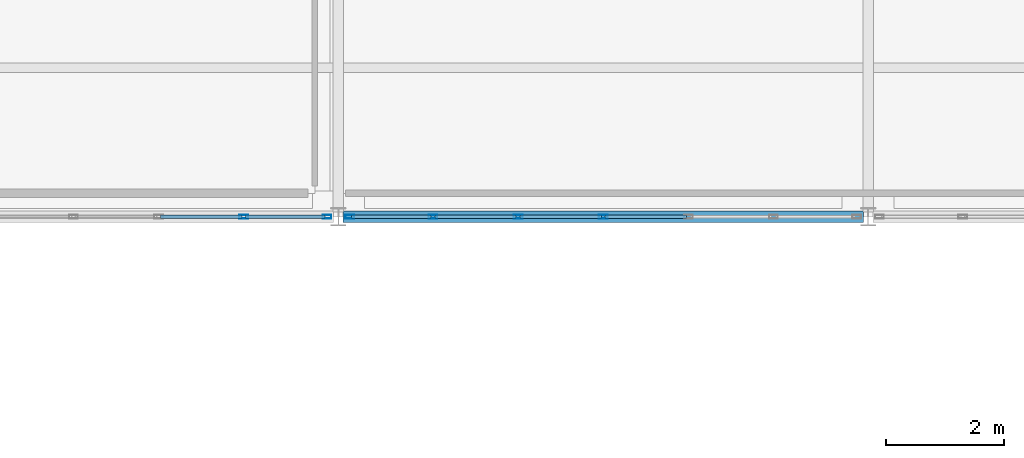
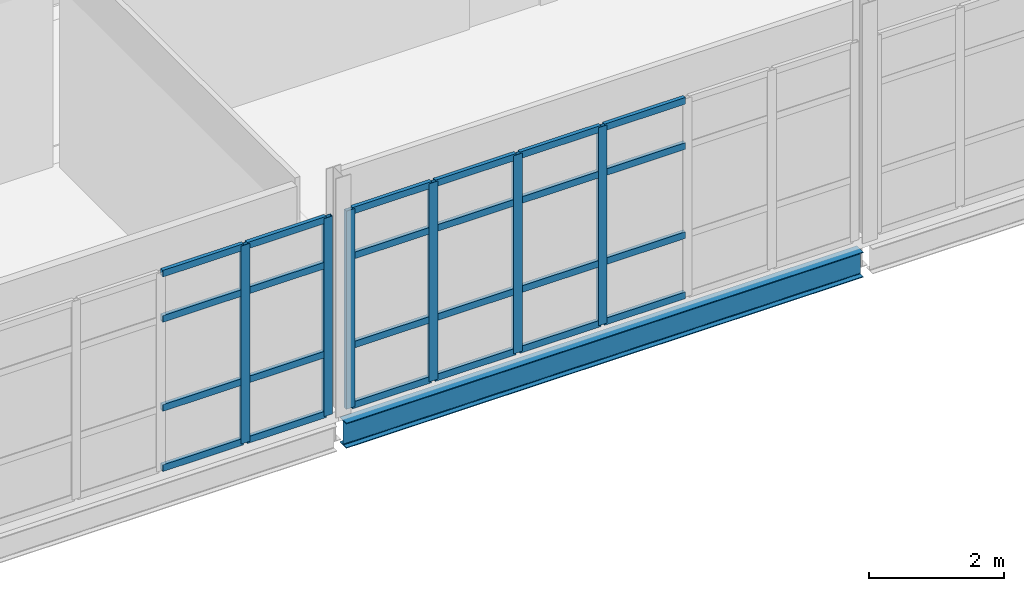
# One storey, part 67 of 174: 30 members, 1 beam, 2 elements without a shape of their own.
"""IFC4 building model written with IfcOpenShell, lengths in metres."""

from ifc_helpers import new_model, si_unit, direction, frame, origin, origin_2d, place, context, subcontext, project, spatial, hollow_rectangle, i_section, extrude, material, material_profile, profile_set, type_object, element, aggregate, save


model = new_model("IFC4")

# Units and contexts
model_context = context("Model", 3, precision=1e-05, world=origin(), true_north=direction((0.0, 1.0)))
body_context = subcontext(model_context, "Body", "Model", "MODEL_VIEW")
ifc_project = project(units=[si_unit("LENGTHUNIT", "METRE"), si_unit("AREAUNIT", "SQUARE_METRE"), si_unit("VOLUMEUNIT", "CUBIC_METRE"), si_unit("PLANEANGLEUNIT", "RADIAN"), si_unit("MASSUNIT", "GRAM", prefix="KILO")], contexts=[model_context])

# Site, building, storey
site_placement = place(None, origin())
site = spatial("IfcSite", under=ifc_project, at=site_placement, CompositionType="ELEMENT")
building_placement = place(site_placement, origin())
building = spatial("IfcBuilding", under=site, at=building_placement, Name="Caisbarro Railhouse Central Library", CompositionType="ELEMENT")
storey_placement = place(building_placement, frame((0.0, 0.0, 5.0400390625)))
storey = spatial("IfcBuildingStorey", under=building, at=storey_placement, Name="L01", CompositionType="ELEMENT", Elevation=5.0400390625)

# Beam
ifc_material_1 = material(Name="Steel ASTM A572 Grade 50", Category="steel")
ifc_material_profile_1 = material_profile(ifc_material_1, i_section(OverallWidth=0.18994140625, OverallDepth=0.45703125, WebThickness=0.009033203125, FlangeThickness=0.014404296875, FilletRadius=0.01806640625, at=origin_2d()), Name="W460X74.0")
ifc_profile_set_1 = profile_set([ifc_material_profile_1], Name="Steel ASTM A572 Grade 50")
beam_type = type_object("IfcBeamType", Name="BM-SP01", PredefinedType="SPANDREL", material=ifc_profile_set_1)
beam_placement = place(storey_placement, frame((18.080078125, 83.60009765625, -0.428466796875), z_axis=(1.0, 0.0, 0.0), x_axis=(0.0, 1.0, 0.0)))
element("IfcBeam", 1, at=beam_placement, inside=storey, type_object=beam_type, Name="SP01 beam L01 #1010", PredefinedType="SPANDREL", context=body_context, shape_type="SweptSolid", body=[
    extrude(i_section(OverallWidth=0.18994140625, OverallDepth=0.45703125, WebThickness=0.009033203125, FlangeThickness=0.014404296875, FilletRadius=0.01806640625, at=origin_2d()), origin(), (0.0, 0.0, 1.0), 8.83984375),
])

# Curtain wall, members
ifc_material_2 = material(Name="Anodised architectural aluminium", Category="aluminium")
curtain_wall_type = type_object("IfcCurtainWallType", Name="CW-CW02", PredefinedType="NOTDEFINED", material=ifc_material_2)
curtain_wall_1_placement = place(storey_placement, origin())
curtain_wall_1 = element("IfcCurtainWall", 2, at=curtain_wall_1_placement, inside=storey, type_object=curtain_wall_type, Name="CW02 curtain wall L01 #80", PredefinedType="NOTDEFINED")
ifc_material_profile_2 = material_profile(ifc_material_2, hollow_rectangle(XDim=0.06494140625, YDim=0.14990234375, WallThickness=0.00390625, at=origin_2d()), Name="ALU-MUL-65X150")
ifc_profile_set_2 = profile_set([ifc_material_profile_2], Name="Anodised architectural aluminium")
member_type_1 = type_object("IfcMemberType", Name="CWM-M02", PredefinedType="MULLION", material=ifc_profile_set_2)
member_1_placement = place(storey_placement, frame((16.393310546875, 83.60009765625, 0.0), z_axis=(0.0, 0.0, 1.0), x_axis=(0.0, 1.0, 0.0)))
member_1 = element("IfcMember", 3, at=member_1_placement, type_object=member_type_1, Name="CW02 mullion 6", PredefinedType="MULLION", context=body_context, shape_type="SweptSolid", body=[
    extrude(hollow_rectangle(XDim=0.06494140625, YDim=0.14990234375, WallThickness=0.00390625, at=origin_2d()), origin(), (0.0, 0.0, 1.0), 3.580078125),
])
member_2_placement = place(storey_placement, frame((17.8076171875, 83.60009765625, 0.0), z_axis=(0.0, 0.0, 1.0), x_axis=(0.0, 1.0, 0.0)))
member_2 = element("IfcMember", 4, at=member_2_placement, type_object=member_type_1, Name="CW02 mullion 7", PredefinedType="MULLION", context=body_context, shape_type="SweptSolid", body=[
    extrude(hollow_rectangle(XDim=0.06494140625, YDim=0.14990234375, WallThickness=0.00390625, at=origin_2d()), origin(), (0.0, 0.0, 1.0), 3.580078125),
])

curtain_wall_2_placement = place(storey_placement, origin())
curtain_wall_2 = element("IfcCurtainWall", 5, at=curtain_wall_2_placement, inside=storey, type_object=curtain_wall_type, Name="CW02 curtain wall L01 #81", PredefinedType="NOTDEFINED")
member_3_placement = place(storey_placement, frame((18.1923828125, 83.60009765625, 0.0), z_axis=(0.0, 0.0, 1.0), x_axis=(0.0, 1.0, 0.0)))
member_3 = element("IfcMember", 6, at=member_3_placement, type_object=member_type_1, Name="CW02 mullion 1", PredefinedType="MULLION", context=body_context, shape_type="SweptSolid", body=[
    extrude(hollow_rectangle(XDim=0.06494140625, YDim=0.14990234375, WallThickness=0.00390625, at=origin_2d()), origin(), (0.0, 0.0, 1.0), 3.580078125),
])
member_4_placement = place(storey_placement, frame((19.606689453125, 83.60009765625, 0.0), z_axis=(0.0, 0.0, 1.0), x_axis=(0.0, 1.0, 0.0)))
member_4 = element("IfcMember", 7, at=member_4_placement, type_object=member_type_1, Name="CW02 mullion 2", PredefinedType="MULLION", context=body_context, shape_type="SweptSolid", body=[
    extrude(hollow_rectangle(XDim=0.06494140625, YDim=0.14990234375, WallThickness=0.00390625, at=origin_2d()), origin(), (0.0, 0.0, 1.0), 3.580078125),
])
member_5_placement = place(storey_placement, frame((21.05322265625, 83.60009765625, 0.0), z_axis=(0.0, 0.0, 1.0), x_axis=(0.0, 1.0, 0.0)))
member_5 = element("IfcMember", 8, at=member_5_placement, type_object=member_type_1, Name="CW02 mullion 3", PredefinedType="MULLION", context=body_context, shape_type="SweptSolid", body=[
    extrude(hollow_rectangle(XDim=0.06494140625, YDim=0.14990234375, WallThickness=0.00390625, at=origin_2d()), origin(), (0.0, 0.0, 1.0), 3.580078125),
])
member_6_placement = place(storey_placement, frame((22.5, 83.60009765625, 0.0), z_axis=(0.0, 0.0, 1.0), x_axis=(0.0, 1.0, 0.0)))
member_6 = element("IfcMember", 9, at=member_6_placement, type_object=member_type_1, Name="CW02 mullion 4", PredefinedType="MULLION", context=body_context, shape_type="SweptSolid", body=[
    extrude(hollow_rectangle(XDim=0.06494140625, YDim=0.14990234375, WallThickness=0.00390625, at=origin_2d()), origin(), (0.0, 0.0, 1.0), 3.580078125),
])

# Member
ifc_material_profile_3 = material_profile(ifc_material_2, hollow_rectangle(XDim=0.06494140625, YDim=0.1201171875, WallThickness=0.00341796875, at=origin_2d()), Name="ALU-TRN-65X120")
ifc_profile_set_3 = profile_set([ifc_material_profile_3], Name="Anodised architectural aluminium")
member_type_2 = type_object("IfcMemberType", Name="CWT-T02", PredefinedType="USERDEFINED", material=ifc_profile_set_3)
member_7_placement = place(storey_placement, frame((14.979248046875, 83.60009765625, 0.032470703125), z_axis=(1.0, 0.0, 0.0), x_axis=(0.0, 1.0, 0.0)))
member_7 = element("IfcMember", 10, at=member_7_placement, type_object=member_type_2, Name="CW02 transom 5.1", ObjectType="TRANSOM", PredefinedType="USERDEFINED", context=body_context, shape_type="SweptSolid", body=[
    extrude(hollow_rectangle(XDim=0.06494140625, YDim=0.1201171875, WallThickness=0.00341796875, at=origin_2d()), origin(), (0.0, 0.0, 1.0), 1.381591796875),
])

member_8_placement = place(storey_placement, frame((14.979248046875, 83.60009765625, 1.119873046875), z_axis=(1.0, 0.0, 0.0), x_axis=(0.0, 1.0, 0.0)))
member_8 = element("IfcMember", 11, at=member_8_placement, type_object=member_type_2, Name="CW02 transom 5.2", ObjectType="TRANSOM", PredefinedType="USERDEFINED", context=body_context, shape_type="SweptSolid", body=[
    extrude(hollow_rectangle(XDim=0.06494140625, YDim=0.1201171875, WallThickness=0.00341796875, at=origin_2d()), origin(), (0.0, 0.0, 1.0), 1.381591796875),
])

member_9_placement = place(storey_placement, frame((14.979248046875, 83.60009765625, 2.72998046875), z_axis=(1.0, 0.0, 0.0), x_axis=(0.0, 1.0, 0.0)))
member_9 = element("IfcMember", 12, at=member_9_placement, type_object=member_type_2, Name="CW02 transom 5.3", ObjectType="TRANSOM", PredefinedType="USERDEFINED", context=body_context, shape_type="SweptSolid", body=[
    extrude(hollow_rectangle(XDim=0.06494140625, YDim=0.1201171875, WallThickness=0.00341796875, at=origin_2d()), origin(), (0.0, 0.0, 1.0), 1.381591796875),
])

member_10_placement = place(storey_placement, frame((14.979248046875, 83.60009765625, 3.54736328125), z_axis=(1.0, 0.0, 0.0), x_axis=(0.0, 1.0, 0.0)))
member_10 = element("IfcMember", 13, at=member_10_placement, type_object=member_type_2, Name="CW02 transom 5.4", ObjectType="TRANSOM", PredefinedType="USERDEFINED", context=body_context, shape_type="SweptSolid", body=[
    extrude(hollow_rectangle(XDim=0.06494140625, YDim=0.1201171875, WallThickness=0.00341796875, at=origin_2d()), origin(), (0.0, 0.0, 1.0), 1.381591796875),
])

member_11_placement = place(storey_placement, frame((16.42578125, 83.60009765625, 0.032470703125), z_axis=(1.0, 0.0, 0.0), x_axis=(0.0, 1.0, 0.0)))
member_11 = element("IfcMember", 14, at=member_11_placement, type_object=member_type_2, Name="CW02 transom 6.1", ObjectType="TRANSOM", PredefinedType="USERDEFINED", context=body_context, shape_type="SweptSolid", body=[
    extrude(hollow_rectangle(XDim=0.06494140625, YDim=0.1201171875, WallThickness=0.00341796875, at=origin_2d()), origin(), (0.0, 0.0, 1.0), 1.34912109375),
])

member_12_placement = place(storey_placement, frame((16.42578125, 83.60009765625, 1.119873046875), z_axis=(1.0, 0.0, 0.0), x_axis=(0.0, 1.0, 0.0)))
member_12 = element("IfcMember", 15, at=member_12_placement, type_object=member_type_2, Name="CW02 transom 6.2", ObjectType="TRANSOM", PredefinedType="USERDEFINED", context=body_context, shape_type="SweptSolid", body=[
    extrude(hollow_rectangle(XDim=0.06494140625, YDim=0.1201171875, WallThickness=0.00341796875, at=origin_2d()), origin(), (0.0, 0.0, 1.0), 1.34912109375),
])

member_13_placement = place(storey_placement, frame((16.42578125, 83.60009765625, 2.72998046875), z_axis=(1.0, 0.0, 0.0), x_axis=(0.0, 1.0, 0.0)))
member_13 = element("IfcMember", 16, at=member_13_placement, type_object=member_type_2, Name="CW02 transom 6.3", ObjectType="TRANSOM", PredefinedType="USERDEFINED", context=body_context, shape_type="SweptSolid", body=[
    extrude(hollow_rectangle(XDim=0.06494140625, YDim=0.1201171875, WallThickness=0.00341796875, at=origin_2d()), origin(), (0.0, 0.0, 1.0), 1.34912109375),
])

member_14_placement = place(storey_placement, frame((16.42578125, 83.60009765625, 3.54736328125), z_axis=(1.0, 0.0, 0.0), x_axis=(0.0, 1.0, 0.0)))
member_14 = element("IfcMember", 17, at=member_14_placement, type_object=member_type_2, Name="CW02 transom 6.4", ObjectType="TRANSOM", PredefinedType="USERDEFINED", context=body_context, shape_type="SweptSolid", body=[
    extrude(hollow_rectangle(XDim=0.06494140625, YDim=0.1201171875, WallThickness=0.00341796875, at=origin_2d()), origin(), (0.0, 0.0, 1.0), 1.34912109375),
])

aggregate(curtain_wall_1, [member_1, member_2, member_7, member_8, member_9, member_10, member_11, member_12, member_13, member_14])

member_15_placement = place(storey_placement, frame((18.22509765625, 83.60009765625, 0.032470703125), z_axis=(1.0, 0.0, 0.0), x_axis=(0.0, 1.0, 0.0)))
member_15 = element("IfcMember", 18, at=member_15_placement, type_object=member_type_2, Name="CW02 transom 1.1", ObjectType="TRANSOM", PredefinedType="USERDEFINED", context=body_context, shape_type="SweptSolid", body=[
    extrude(hollow_rectangle(XDim=0.06494140625, YDim=0.1201171875, WallThickness=0.00341796875, at=origin_2d()), origin(), (0.0, 0.0, 1.0), 1.34912109375),
])

member_16_placement = place(storey_placement, frame((18.22509765625, 83.60009765625, 1.119873046875), z_axis=(1.0, 0.0, 0.0), x_axis=(0.0, 1.0, 0.0)))
member_16 = element("IfcMember", 19, at=member_16_placement, type_object=member_type_2, Name="CW02 transom 1.2", ObjectType="TRANSOM", PredefinedType="USERDEFINED", context=body_context, shape_type="SweptSolid", body=[
    extrude(hollow_rectangle(XDim=0.06494140625, YDim=0.1201171875, WallThickness=0.00341796875, at=origin_2d()), origin(), (0.0, 0.0, 1.0), 1.34912109375),
])

member_17_placement = place(storey_placement, frame((18.22509765625, 83.60009765625, 2.72998046875), z_axis=(1.0, 0.0, 0.0), x_axis=(0.0, 1.0, 0.0)))
member_17 = element("IfcMember", 20, at=member_17_placement, type_object=member_type_2, Name="CW02 transom 1.3", ObjectType="TRANSOM", PredefinedType="USERDEFINED", context=body_context, shape_type="SweptSolid", body=[
    extrude(hollow_rectangle(XDim=0.06494140625, YDim=0.1201171875, WallThickness=0.00341796875, at=origin_2d()), origin(), (0.0, 0.0, 1.0), 1.34912109375),
])

member_18_placement = place(storey_placement, frame((18.22509765625, 83.60009765625, 3.54736328125), z_axis=(1.0, 0.0, 0.0), x_axis=(0.0, 1.0, 0.0)))
member_18 = element("IfcMember", 21, at=member_18_placement, type_object=member_type_2, Name="CW02 transom 1.4", ObjectType="TRANSOM", PredefinedType="USERDEFINED", context=body_context, shape_type="SweptSolid", body=[
    extrude(hollow_rectangle(XDim=0.06494140625, YDim=0.1201171875, WallThickness=0.00341796875, at=origin_2d()), origin(), (0.0, 0.0, 1.0), 1.34912109375),
])

member_19_placement = place(storey_placement, frame((19.63916015625, 83.60009765625, 0.032470703125), z_axis=(1.0, 0.0, 0.0), x_axis=(0.0, 1.0, 0.0)))
member_19 = element("IfcMember", 22, at=member_19_placement, type_object=member_type_2, Name="CW02 transom 2.1", ObjectType="TRANSOM", PredefinedType="USERDEFINED", context=body_context, shape_type="SweptSolid", body=[
    extrude(hollow_rectangle(XDim=0.06494140625, YDim=0.1201171875, WallThickness=0.00341796875, at=origin_2d()), origin(), (0.0, 0.0, 1.0), 1.381591796875),
])

member_20_placement = place(storey_placement, frame((19.63916015625, 83.60009765625, 1.119873046875), z_axis=(1.0, 0.0, 0.0), x_axis=(0.0, 1.0, 0.0)))
member_20 = element("IfcMember", 23, at=member_20_placement, type_object=member_type_2, Name="CW02 transom 2.2", ObjectType="TRANSOM", PredefinedType="USERDEFINED", context=body_context, shape_type="SweptSolid", body=[
    extrude(hollow_rectangle(XDim=0.06494140625, YDim=0.1201171875, WallThickness=0.00341796875, at=origin_2d()), origin(), (0.0, 0.0, 1.0), 1.381591796875),
])

member_21_placement = place(storey_placement, frame((19.63916015625, 83.60009765625, 2.72998046875), z_axis=(1.0, 0.0, 0.0), x_axis=(0.0, 1.0, 0.0)))
member_21 = element("IfcMember", 24, at=member_21_placement, type_object=member_type_2, Name="CW02 transom 2.3", ObjectType="TRANSOM", PredefinedType="USERDEFINED", context=body_context, shape_type="SweptSolid", body=[
    extrude(hollow_rectangle(XDim=0.06494140625, YDim=0.1201171875, WallThickness=0.00341796875, at=origin_2d()), origin(), (0.0, 0.0, 1.0), 1.381591796875),
])

member_22_placement = place(storey_placement, frame((19.63916015625, 83.60009765625, 3.54736328125), z_axis=(1.0, 0.0, 0.0), x_axis=(0.0, 1.0, 0.0)))
member_22 = element("IfcMember", 25, at=member_22_placement, type_object=member_type_2, Name="CW02 transom 2.4", ObjectType="TRANSOM", PredefinedType="USERDEFINED", context=body_context, shape_type="SweptSolid", body=[
    extrude(hollow_rectangle(XDim=0.06494140625, YDim=0.1201171875, WallThickness=0.00341796875, at=origin_2d()), origin(), (0.0, 0.0, 1.0), 1.381591796875),
])

member_23_placement = place(storey_placement, frame((21.0859375, 83.60009765625, 0.032470703125), z_axis=(1.0, 0.0, 0.0), x_axis=(0.0, 1.0, 0.0)))
member_23 = element("IfcMember", 26, at=member_23_placement, type_object=member_type_2, Name="CW02 transom 3.1", ObjectType="TRANSOM", PredefinedType="USERDEFINED", context=body_context, shape_type="SweptSolid", body=[
    extrude(hollow_rectangle(XDim=0.06494140625, YDim=0.1201171875, WallThickness=0.00341796875, at=origin_2d()), origin(), (0.0, 0.0, 1.0), 1.381591796875),
])

member_24_placement = place(storey_placement, frame((21.0859375, 83.60009765625, 1.119873046875), z_axis=(1.0, 0.0, 0.0), x_axis=(0.0, 1.0, 0.0)))
member_24 = element("IfcMember", 27, at=member_24_placement, type_object=member_type_2, Name="CW02 transom 3.2", ObjectType="TRANSOM", PredefinedType="USERDEFINED", context=body_context, shape_type="SweptSolid", body=[
    extrude(hollow_rectangle(XDim=0.06494140625, YDim=0.1201171875, WallThickness=0.00341796875, at=origin_2d()), origin(), (0.0, 0.0, 1.0), 1.381591796875),
])

member_25_placement = place(storey_placement, frame((21.0859375, 83.60009765625, 2.72998046875), z_axis=(1.0, 0.0, 0.0), x_axis=(0.0, 1.0, 0.0)))
member_25 = element("IfcMember", 28, at=member_25_placement, type_object=member_type_2, Name="CW02 transom 3.3", ObjectType="TRANSOM", PredefinedType="USERDEFINED", context=body_context, shape_type="SweptSolid", body=[
    extrude(hollow_rectangle(XDim=0.06494140625, YDim=0.1201171875, WallThickness=0.00341796875, at=origin_2d()), origin(), (0.0, 0.0, 1.0), 1.381591796875),
])

member_26_placement = place(storey_placement, frame((21.0859375, 83.60009765625, 3.54736328125), z_axis=(1.0, 0.0, 0.0), x_axis=(0.0, 1.0, 0.0)))
member_26 = element("IfcMember", 29, at=member_26_placement, type_object=member_type_2, Name="CW02 transom 3.4", ObjectType="TRANSOM", PredefinedType="USERDEFINED", context=body_context, shape_type="SweptSolid", body=[
    extrude(hollow_rectangle(XDim=0.06494140625, YDim=0.1201171875, WallThickness=0.00341796875, at=origin_2d()), origin(), (0.0, 0.0, 1.0), 1.381591796875),
])

member_27_placement = place(storey_placement, frame((22.532470703125, 83.60009765625, 0.032470703125), z_axis=(1.0, 0.0, 0.0), x_axis=(0.0, 1.0, 0.0)))
member_27 = element("IfcMember", 30, at=member_27_placement, type_object=member_type_2, Name="CW02 transom 4.1", ObjectType="TRANSOM", PredefinedType="USERDEFINED", context=body_context, shape_type="SweptSolid", body=[
    extrude(hollow_rectangle(XDim=0.06494140625, YDim=0.1201171875, WallThickness=0.00341796875, at=origin_2d()), origin(), (0.0, 0.0, 1.0), 1.381591796875),
])

member_28_placement = place(storey_placement, frame((22.532470703125, 83.60009765625, 1.119873046875), z_axis=(1.0, 0.0, 0.0), x_axis=(0.0, 1.0, 0.0)))
member_28 = element("IfcMember", 31, at=member_28_placement, type_object=member_type_2, Name="CW02 transom 4.2", ObjectType="TRANSOM", PredefinedType="USERDEFINED", context=body_context, shape_type="SweptSolid", body=[
    extrude(hollow_rectangle(XDim=0.06494140625, YDim=0.1201171875, WallThickness=0.00341796875, at=origin_2d()), origin(), (0.0, 0.0, 1.0), 1.381591796875),
])

member_29_placement = place(storey_placement, frame((22.532470703125, 83.60009765625, 2.72998046875), z_axis=(1.0, 0.0, 0.0), x_axis=(0.0, 1.0, 0.0)))
member_29 = element("IfcMember", 32, at=member_29_placement, type_object=member_type_2, Name="CW02 transom 4.3", ObjectType="TRANSOM", PredefinedType="USERDEFINED", context=body_context, shape_type="SweptSolid", body=[
    extrude(hollow_rectangle(XDim=0.06494140625, YDim=0.1201171875, WallThickness=0.00341796875, at=origin_2d()), origin(), (0.0, 0.0, 1.0), 1.381591796875),
])

member_30_placement = place(storey_placement, frame((22.532470703125, 83.60009765625, 3.54736328125), z_axis=(1.0, 0.0, 0.0), x_axis=(0.0, 1.0, 0.0)))
member_30 = element("IfcMember", 33, at=member_30_placement, type_object=member_type_2, Name="CW02 transom 4.4", ObjectType="TRANSOM", PredefinedType="USERDEFINED", context=body_context, shape_type="SweptSolid", body=[
    extrude(hollow_rectangle(XDim=0.06494140625, YDim=0.1201171875, WallThickness=0.00341796875, at=origin_2d()), origin(), (0.0, 0.0, 1.0), 1.381591796875),
])

aggregate(curtain_wall_2, [member_3, member_4, member_5, member_6, member_15, member_16, member_17, member_18, member_19, member_20, member_21, member_22, member_23, member_24, member_25, member_26, member_27, member_28, member_29, member_30])

save(model, "model.ifc")
